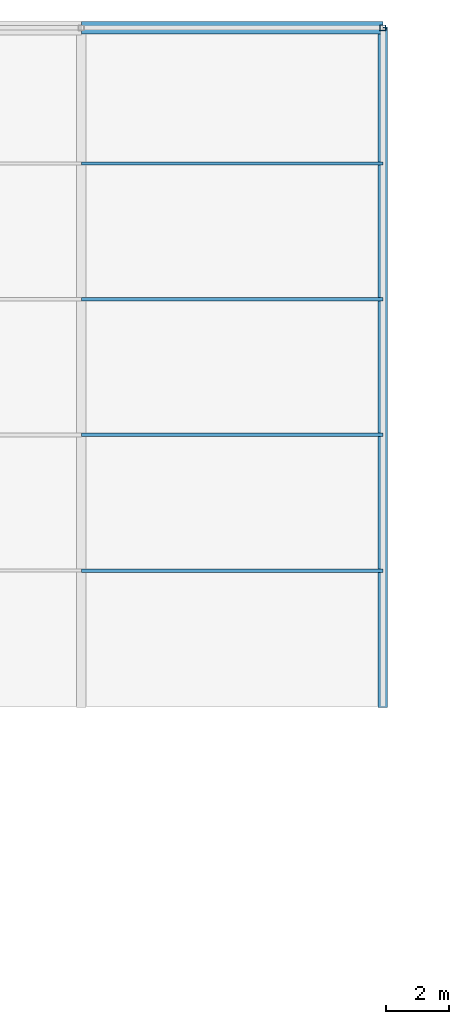
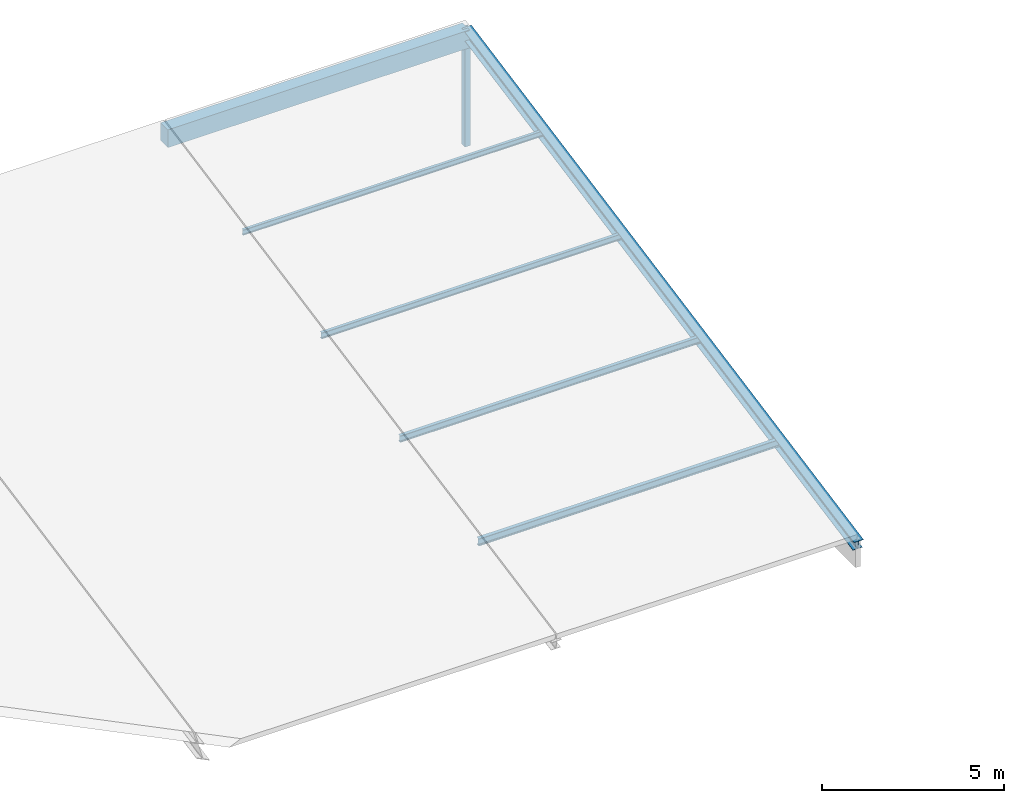
# One storey, part 50 of 80: 6 members, 1 beam.
"""IFC4 building model written with IfcOpenShell, lengths in metres."""

from ifc_helpers import new_model, si_unit, direction, frame, origin, origin_2d, place, context, subcontext, project, spatial, rectangle, hollow_rectangle, i_section, extrude, material, material_profile, profile_set, type_object, element, save


model = new_model("IFC4")

# Units and contexts
model_context = context("Model", 3, precision=1e-05, world=origin(), true_north=direction((0.0, 1.0)))
body_context = subcontext(model_context, "Body", "Model", "MODEL_VIEW")
ifc_project = project(units=[si_unit("LENGTHUNIT", "METRE"), si_unit("AREAUNIT", "SQUARE_METRE"), si_unit("VOLUMEUNIT", "CUBIC_METRE"), si_unit("PLANEANGLEUNIT", "RADIAN"), si_unit("MASSUNIT", "GRAM", prefix="KILO")], contexts=[model_context])

# Site, building, storey
site_placement = place(None, origin())
site = spatial("IfcSite", under=ifc_project, at=site_placement, CompositionType="ELEMENT")
building_placement = place(site_placement, origin())
building = spatial("IfcBuilding", under=site, at=building_placement, Name="Fikremerkos Civic Library", CompositionType="ELEMENT")
storey_placement = place(building_placement, frame((0.0, 0.0, 9.89990234375)))
storey = spatial("IfcBuildingStorey", under=building, at=storey_placement, Name="L02", CompositionType="ELEMENT", Elevation=9.89990234375)

# Member
ifc_material_1 = material(Name="Steel S355", Category="steel")
ifc_material_profile_1 = material_profile(ifc_material_1, hollow_rectangle(XDim=0.179931640625, YDim=0.179931640625, WallThickness=0.010009765625, at=origin_2d()), Name="SHS 180x180x10")
ifc_profile_set_1 = profile_set([ifc_material_profile_1], Name="Steel S355")
member_type_1 = type_object("IfcMemberType", Name="Frame post PST-02 SHS 180x180x10", PredefinedType="POST", material=ifc_profile_set_1)
member_1_placement = place(storey_placement, frame((134.39990234375, 117.60009765625, 0.0), z_axis=(0.0, 0.0, 1.0), x_axis=(1.0, 0.0, 0.0)))
element("IfcMember", 1, at=member_1_placement, inside=storey, type_object=member_type_1, Name="North-light roof post PST-02 X=134.4", PredefinedType="POST", context=body_context, shape_type="SweptSolid", body=[
    extrude(hollow_rectangle(XDim=0.179931640625, YDim=0.179931640625, WallThickness=0.010009765625, at=origin_2d()), origin(), (0.0, 0.0, 1.0), 3.94873046875),
])

# Beam
ifc_material_2 = material(Name="Concrete C40/50", Category="concrete")
ifc_material_profile_2 = material_profile(ifc_material_2, rectangle(XDim=0.39990234375, YDim=0.60009765625, at=origin_2d()), Name="RC 400x600")
ifc_profile_set_2 = profile_set([ifc_material_profile_2], Name="Concrete C40/50")
beam_type = type_object("IfcBeamType", Name="Primary girder BM-08 RC 400x600", PredefinedType="BEAM", material=ifc_profile_set_2)
beam_placement = place(storey_placement, frame((124.800048828125, 117.60009765625, 3.6787109375), z_axis=(1.0, 0.0, 0.0), x_axis=(0.0, 1.0, 0.0)))
element("IfcBeam", 2, at=beam_placement, inside=storey, type_object=beam_type, Name="Primary girder BM-08 L02 grid N", PredefinedType="BEAM", context=body_context, shape_type="SweptSolid", body=[
    extrude(rectangle(XDim=0.39990234375, YDim=0.60009765625, at=origin_2d()), origin(), (0.0, 0.0, 1.0), 9.599853515625),
])

# Members
ifc_material_profile_3 = material_profile(ifc_material_1, i_section(OverallWidth=0.1201171875, OverallDepth=0.239990234375, WebThickness=0.006103515625, FlangeThickness=0.009765625, FilletRadius=0.014892578125, at=origin_2d()), Name="IPE 240")
ifc_profile_set_3 = profile_set([ifc_material_profile_3], Name="Steel S355")
member_type_2 = type_object("IfcMemberType", Name="Roof purlin PUR-01 IPE 240", PredefinedType="PURLIN", material=ifc_profile_set_3)
member_2_placement = place(storey_placement, frame((124.800048828125, 100.320068359375, 0.49609375), z_axis=(1.0, 0.0, 0.0), x_axis=(0.0, 1.0, 0.0)))
element("IfcMember", 3, at=member_2_placement, inside=storey, type_object=member_type_2, Name="Roof purlin PUR-01 V2 bay 5.1", PredefinedType="PURLIN", context=body_context, shape_type="SweptSolid", body=[
    extrude(i_section(OverallWidth=0.1201171875, OverallDepth=0.239990234375, WebThickness=0.006103515625, FlangeThickness=0.009765625, FilletRadius=0.014892578125, at=origin_2d()), origin(), (0.0, 0.0, 1.0), 9.599853515625),
])
ifc_material_profile_4 = material_profile(ifc_material_1, i_section(OverallWidth=0.110107421875, OverallDepth=0.219970703125, WebThickness=0.005859375, FlangeThickness=0.00927734375, FilletRadius=0.011962890625, at=origin_2d()), Name="IPE 220")
ifc_profile_set_4 = profile_set([ifc_material_profile_4], Name="Steel S355")
member_type_3 = type_object("IfcMemberType", Name="Roof purlin PUR-02 IPE 220", PredefinedType="PURLIN", material=ifc_profile_set_4)
member_3_placement = place(storey_placement, frame((124.800048828125, 104.639892578125, 1.345703125), z_axis=(1.0, 0.0, 0.0), x_axis=(0.0, 1.0, 0.0)))
element("IfcMember", 4, at=member_3_placement, inside=storey, type_object=member_type_3, Name="Roof purlin PUR-02 V2 bay 5.2", PredefinedType="PURLIN", context=body_context, shape_type="SweptSolid", body=[
    extrude(i_section(OverallWidth=0.110107421875, OverallDepth=0.219970703125, WebThickness=0.005859375, FlangeThickness=0.00927734375, FilletRadius=0.011962890625, at=origin_2d()), origin(), (0.0, 0.0, 1.0), 9.599853515625),
])
ifc_material_profile_5 = material_profile(ifc_material_1, i_section(OverallWidth=0.10009765625, OverallDepth=0.199951171875, WebThickness=0.005615234375, FlangeThickness=0.008544921875, FilletRadius=0.011962890625, at=origin_2d()), Name="IPE 200")
ifc_profile_set_5 = profile_set([ifc_material_profile_5], Name="Steel S355")
member_type_4 = type_object("IfcMemberType", Name="Roof purlin PUR-03 IPE 200", PredefinedType="PURLIN", material=ifc_profile_set_5)
member_4_placement = place(storey_placement, frame((124.800048828125, 108.9599609375, 2.195556640625), z_axis=(1.0, 0.0, 0.0), x_axis=(0.0, 1.0, 0.0)))
element("IfcMember", 5, at=member_4_placement, inside=storey, type_object=member_type_4, Name="Roof purlin PUR-03 V2 bay 5.3", PredefinedType="PURLIN", context=body_context, shape_type="SweptSolid", body=[
    extrude(i_section(OverallWidth=0.10009765625, OverallDepth=0.199951171875, WebThickness=0.005615234375, FlangeThickness=0.008544921875, FilletRadius=0.011962890625, at=origin_2d()), origin(), (0.0, 0.0, 1.0), 9.599853515625),
])
ifc_material_profile_6 = material_profile(ifc_material_1, i_section(OverallWidth=0.091064453125, OverallDepth=0.179931640625, WebThickness=0.00537109375, FlangeThickness=0.008056640625, FilletRadius=0.009033203125, at=origin_2d()), Name="IPE 180")
ifc_profile_set_6 = profile_set([ifc_material_profile_6], Name="Steel S355")
member_type_5 = type_object("IfcMemberType", Name="Roof purlin PUR-04 IPE 180", PredefinedType="PURLIN", material=ifc_profile_set_6)
member_5_placement = place(storey_placement, frame((124.800048828125, 113.280029296875, 3.045166015625), z_axis=(1.0, 0.0, 0.0), x_axis=(0.0, 1.0, 0.0)))
element("IfcMember", 6, at=member_5_placement, inside=storey, type_object=member_type_5, Name="Roof purlin PUR-04 V2 bay 5.4", PredefinedType="PURLIN", context=body_context, shape_type="SweptSolid", body=[
    extrude(i_section(OverallWidth=0.091064453125, OverallDepth=0.179931640625, WebThickness=0.00537109375, FlangeThickness=0.008056640625, FilletRadius=0.009033203125, at=origin_2d()), origin(), (0.0, 0.0, 1.0), 9.599853515625),
])
ifc_material_profile_7 = material_profile(ifc_material_1, i_section(OverallWidth=0.300048828125, OverallDepth=0.31005859375, WebThickness=0.009033203125, FlangeThickness=0.015380859375, FilletRadius=0.027099609375, at=origin_2d()), Name="HEA 320")
ifc_profile_set_7 = profile_set([ifc_material_profile_7], Name="Steel S355")
member_type_6 = type_object("IfcMemberType", Name="Truss chord CHD-02 HEA 320", PredefinedType="CHORD", material=ifc_profile_set_7)
member_6_placement = place(storey_placement, frame((134.39990234375, 96.0, -0.35986328125), z_axis=(0.0, 0.981628437529, 0.190802543574), x_axis=(-1.0, 0.0, 0.0)))
element("IfcMember", 7, at=member_6_placement, inside=storey, type_object=member_type_6, Name="North-light roof rafter chord CHD-02 X=134.4", PredefinedType="CHORD", context=body_context, shape_type="SweptSolid", body=[
    extrude(i_section(OverallWidth=0.300048828125, OverallDepth=0.31005859375, WebThickness=0.009033203125, FlangeThickness=0.015380859375, FilletRadius=0.027099609375, at=origin_2d()), origin(), (0.0, 0.0, 1.0), 22.00439453125),
])

save(model, "model.ifc")
